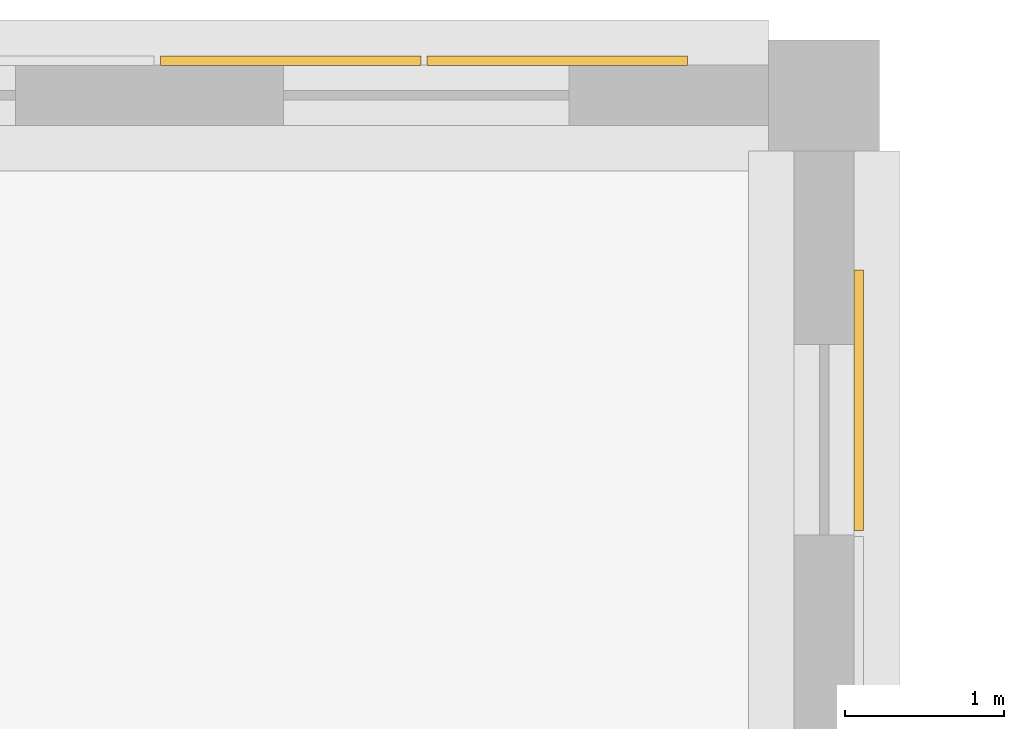
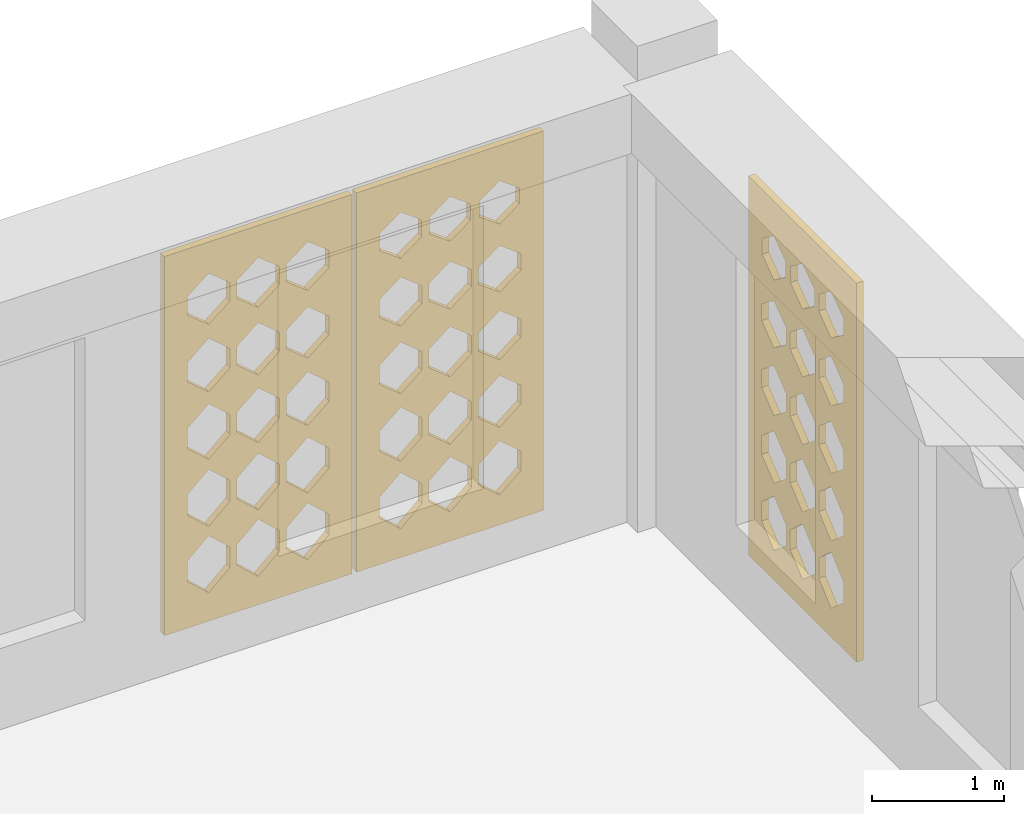
# One storey, part 78 of 79: 3 coverings.
"""IFC4 building model written with IfcOpenShell, lengths in metres."""

from ifc_helpers import new_model, si_unit, derived_unit, direction, frame, origin, place, context, subcontext, project, spatial, polyline, outline, extrude, material, layer, layer_set, type_object, element, save


model = new_model("IFC4")

# Units and contexts
model_context = context("Model", 3, precision=1e-05, world=origin(), true_north=direction((0.0, 1.0)))
body_context = subcontext(model_context, "Body", "Model", "MODEL_VIEW")
ifc_project = project(units=[si_unit("LENGTHUNIT", "METRE"), si_unit("AREAUNIT", "SQUARE_METRE"), si_unit("VOLUMEUNIT", "CUBIC_METRE"), si_unit("PLANEANGLEUNIT", "RADIAN"), si_unit("MASSUNIT", "GRAM", prefix="KILO"), derived_unit("THERMALTRANSMITTANCEUNIT", [(si_unit("POWERUNIT", "WATT"), 1), (si_unit("LENGTHUNIT", "METRE"), -2), (si_unit("THERMODYNAMICTEMPERATUREUNIT", "KELVIN"), -1)])], contexts=[model_context])

# Site, building, storey
site_placement = place(None, origin())
site = spatial("IfcSite", under=ifc_project, at=site_placement, CompositionType="ELEMENT")
building_placement = place(site_placement, origin())
building = spatial("IfcBuilding", under=site, at=building_placement, Name="Veybourne Emporium", CompositionType="ELEMENT")
storey_placement = place(building_placement, frame((0.0, 0.0, 18.89990234375)))
storey = spatial("IfcBuildingStorey", under=building, at=storey_placement, Name="L04", CompositionType="ELEMENT", Elevation=18.89990234375)

# Coverings
ifc_material = material(Name="Warm-White Perforated Aluminium Screen Alloy", Category="aluminium")
ifc_layer_1 = layer(ifc_material, 0.06005859375)
ifc_layer_set_1 = layer_set([ifc_layer_1], Name="Warm-White Perforated Aluminium Screen Alloy")
covering_type_1 = type_object("IfcCoveringType", Name="WaveScreen_SCR-03", PredefinedType="CLADDING", material=ifc_layer_set_1)
covering_1_placement = place(storey_placement, frame((89.0400390625, 101.048095703125, 1.815185546875), z_axis=(0.0, -1.0, 0.0), x_axis=(1.0, 0.0, 0.0)))
element("IfcCovering", 1, at=covering_1_placement, inside=storey, type_object=covering_type_1, Name="L04 wave-perforated aluminium screen SCR-03 (47.3)", PredefinedType="CLADDING", context=body_context, shape_type="SweptSolid", body=[
    extrude(outline(polyline([(-0.81982421875, -1.7548828125), (0.81982421875, -1.7548828125), (0.81982421875, 1.7548828125), (-0.81982421875, 1.7548828125), (-0.81982421875, -1.7548828125)]), holes=[polyline([(-0.433349609375, -0.964111328125), (-0.2470703125, -1.133056640625), (-0.2470703125, -1.322998046875), (-0.433349609375, -1.491943359375), (-0.61962890625, -1.322998046875), (-0.61962890625, -1.133056640625), (-0.433349609375, -0.964111328125)]), polyline([(-0.433349609375, -0.35009765625), (-0.2470703125, -0.51904296875), (-0.2470703125, -0.708984375), (-0.433349609375, -0.8779296875), (-0.61962890625, -0.708984375), (-0.61962890625, -0.51904296875), (-0.433349609375, -0.35009765625)]), polyline([(-0.433349609375, 0.257568359375), (-0.2470703125, 0.0927734375), (-0.2470703125, -0.0927734375), (-0.433349609375, -0.257568359375), (-0.61962890625, -0.0927734375), (-0.61962890625, 0.0927734375), (-0.433349609375, 0.257568359375)]), polyline([(-0.433349609375, 0.86181640625), (-0.2470703125, 0.703125), (-0.2470703125, 0.52490234375), (-0.433349609375, 0.3662109375), (-0.61962890625, 0.52490234375), (-0.61962890625, 0.703125), (-0.433349609375, 0.86181640625)]), polyline([(-0.433349609375, 1.464599609375), (-0.2470703125, 1.313232421875), (-0.2470703125, 1.142822265625), (-0.433349609375, 0.991455078125), (-0.61962890625, 1.142822265625), (-0.61962890625, 1.313232421875), (-0.433349609375, 1.464599609375)]), polyline([(0.0, -0.964111328125), (0.186279296875, -1.133056640625), (0.186279296875, -1.322998046875), (0.0, -1.491943359375), (-0.186279296875, -1.322998046875), (-0.186279296875, -1.133056640625), (0.0, -0.964111328125)]), polyline([(0.0, -0.35205078125), (0.186279296875, -0.519775390625), (0.186279296875, -0.708251953125), (0.0, -0.8759765625), (-0.186279296875, -0.708251953125), (-0.186279296875, -0.519775390625), (0.0, -0.35205078125)]), polyline([(0.0, 0.25341796875), (0.186279296875, 0.09130859375), (0.186279296875, -0.09130859375), (0.0, -0.25341796875), (-0.186279296875, -0.09130859375), (-0.186279296875, 0.09130859375), (0.0, 0.25341796875)]), polyline([(0.0, 0.85693359375), (0.186279296875, 0.701416015625), (0.186279296875, 0.526611328125), (0.0, 0.37109375), (-0.186279296875, 0.526611328125), (-0.186279296875, 0.701416015625), (0.0, 0.85693359375)]), polyline([(0.0, 1.458984375), (0.186279296875, 1.311279296875), (0.186279296875, 1.144775390625), (0.0, 0.996826171875), (-0.186279296875, 1.144775390625), (-0.186279296875, 1.311279296875), (0.0, 1.458984375)]), polyline([(0.433349609375, -0.964111328125), (0.61962890625, -1.133056640625), (0.61962890625, -1.322998046875), (0.433349609375, -1.491943359375), (0.2470703125, -1.322998046875), (0.2470703125, -1.133056640625), (0.433349609375, -0.964111328125)]), polyline([(0.433349609375, -0.355712890625), (0.61962890625, -0.52099609375), (0.61962890625, -0.70703125), (0.433349609375, -0.872314453125), (0.2470703125, -0.70703125), (0.2470703125, -0.52099609375), (0.433349609375, -0.355712890625)]), polyline([(0.433349609375, 0.248779296875), (0.61962890625, 0.089599609375), (0.61962890625, -0.089599609375), (0.433349609375, -0.248779296875), (0.2470703125, -0.089599609375), (0.2470703125, 0.089599609375), (0.433349609375, 0.248779296875)]), polyline([(0.433349609375, 0.851806640625), (0.61962890625, 0.69970703125), (0.61962890625, 0.5283203125), (0.433349609375, 0.376220703125), (0.2470703125, 0.5283203125), (0.2470703125, 0.69970703125), (0.433349609375, 0.851806640625)]), polyline([(0.433349609375, 1.453369140625), (0.61962890625, 1.30908203125), (0.61962890625, 1.14697265625), (0.433349609375, 1.002685546875), (0.2470703125, 1.14697265625), (0.2470703125, 1.30908203125), (0.433349609375, 1.453369140625)])]), origin(), (0.0, 0.0, 1.0), 0.06005859375),
])
ifc_layer_2 = layer(ifc_material, 0.06005859375)
ifc_layer_set_2 = layer_set([ifc_layer_2], Name="Warm-White Perforated Aluminium Screen Alloy")
covering_type_2 = type_object("IfcCoveringType", Name="WaveScreen_SCR-04", PredefinedType="CLADDING", material=ifc_layer_set_2)
covering_2_placement = place(storey_placement, frame((92.64794921875, 98.8798828125, 1.815185546875), z_axis=(-1.0, 0.0, 0.0), x_axis=(0.0, -1.0, 0.0)))
element("IfcCovering", 2, at=covering_2_placement, inside=storey, type_object=covering_type_2, Name="L04 wave-perforated aluminium screen SCR-04 (46.1)", PredefinedType="CLADDING", context=body_context, shape_type="SweptSolid", body=[
    extrude(outline(polyline([(-0.81982421875, -1.7548828125), (0.81982421875, -1.7548828125), (0.81982421875, 1.7548828125), (-0.81982421875, 1.7548828125), (-0.81982421875, -1.7548828125)]), holes=[polyline([(-0.433349609375, -0.97412109375), (-0.2470703125, -1.13671875), (-0.2470703125, -1.3193359375), (-0.433349609375, -1.481689453125), (-0.61962890625, -1.3193359375), (-0.61962890625, -1.13671875), (-0.433349609375, -0.97412109375)]), polyline([(-0.433349609375, -0.37060546875), (-0.2470703125, -0.5263671875), (-0.2470703125, -0.70166015625), (-0.433349609375, -0.857421875), (-0.61962890625, -0.70166015625), (-0.61962890625, -0.5263671875), (-0.433349609375, -0.37060546875)]), polyline([(-0.433349609375, 0.2314453125), (-0.2470703125, 0.08349609375), (-0.2470703125, -0.08349609375), (-0.433349609375, -0.2314453125), (-0.61962890625, -0.08349609375), (-0.61962890625, 0.08349609375), (-0.433349609375, 0.2314453125)]), polyline([(-0.433349609375, 0.83251953125), (-0.2470703125, 0.692626953125), (-0.2470703125, 0.535400390625), (-0.433349609375, 0.3955078125), (-0.61962890625, 0.535400390625), (-0.61962890625, 0.692626953125), (-0.433349609375, 0.83251953125)]), polyline([(-0.433349609375, 1.4326171875), (-0.255859375, 1.3017578125), (-0.255859375, 1.154296875), (-0.433349609375, 1.023193359375), (-0.61083984375, 1.154296875), (-0.61083984375, 1.3017578125), (-0.433349609375, 1.4326171875)]), polyline([(0.0, -0.97021484375), (0.186279296875, -1.13525390625), (0.186279296875, -1.32080078125), (0.0, -1.48583984375), (-0.186279296875, -1.32080078125), (-0.186279296875, -1.13525390625), (0.0, -0.97021484375)]), polyline([(0.0, -0.36572265625), (0.186279296875, -0.524658203125), (0.186279296875, -0.703369140625), (0.0, -0.8623046875), (-0.186279296875, -0.703369140625), (-0.186279296875, -0.524658203125), (0.0, -0.36572265625)]), polyline([(0.0, 0.237060546875), (0.186279296875, 0.085205078125), (0.186279296875, -0.085205078125), (0.0, -0.237060546875), (-0.186279296875, -0.085205078125), (-0.186279296875, 0.085205078125), (0.0, 0.237060546875)]), polyline([(0.0, 0.83837890625), (0.186279296875, 0.69482421875), (0.186279296875, 0.533203125), (0.0, 0.389404296875), (-0.186279296875, 0.533203125), (-0.186279296875, 0.69482421875), (0.0, 0.83837890625)]), polyline([(0.0, 1.439208984375), (0.1826171875, 1.303955078125), (0.1826171875, 1.152099609375), (0.0, 1.016845703125), (-0.1826171875, 1.152099609375), (-0.1826171875, 1.303955078125), (0.0, 1.439208984375)]), polyline([(0.433349609375, -0.96630859375), (0.61962890625, -1.1337890625), (0.61962890625, -1.322265625), (0.433349609375, -1.489501953125), (0.2470703125, -1.322265625), (0.2470703125, -1.1337890625), (0.433349609375, -0.96630859375)]), polyline([(0.433349609375, -0.361083984375), (0.61962890625, -0.52294921875), (0.61962890625, -0.705078125), (0.433349609375, -0.866943359375), (0.2470703125, -0.705078125), (0.2470703125, -0.52294921875), (0.433349609375, -0.361083984375)]), polyline([(0.433349609375, 0.242431640625), (0.61962890625, 0.087158203125), (0.61962890625, -0.087158203125), (0.433349609375, -0.242431640625), (0.2470703125, -0.087158203125), (0.2470703125, 0.087158203125), (0.433349609375, 0.242431640625)]), polyline([(0.433349609375, 0.844482421875), (0.61962890625, 0.697021484375), (0.61962890625, 0.531005859375), (0.433349609375, 0.383544921875), (0.2470703125, 0.531005859375), (0.2470703125, 0.697021484375), (0.433349609375, 0.844482421875)]), polyline([(0.433349609375, 1.4453125), (0.61962890625, 1.30615234375), (0.61962890625, 1.14990234375), (0.433349609375, 1.0107421875), (0.2470703125, 1.14990234375), (0.2470703125, 1.30615234375), (0.433349609375, 1.4453125)])]), origin(), (0.0, 0.0, 1.0), 0.06005859375),
])
covering_3_placement = place(storey_placement, frame((90.719970703125, 101.048095703125, 1.815185546875), z_axis=(0.0, -1.0, 0.0), x_axis=(1.0, 0.0, 0.0)))
element("IfcCovering", 3, at=covering_3_placement, inside=storey, type_object=covering_type_2, Name="L04 wave-perforated aluminium screen SCR-04 (47.4)", PredefinedType="CLADDING", context=body_context, shape_type="SweptSolid", body=[
    extrude(outline(polyline([(-0.81982421875, -1.7548828125), (0.81982421875, -1.7548828125), (0.81982421875, 1.7548828125), (-0.81982421875, 1.7548828125), (-0.81982421875, -1.7548828125)]), holes=[polyline([(-0.433349609375, -0.968505859375), (-0.2470703125, -1.134521484375), (-0.2470703125, -1.3212890625), (-0.433349609375, -1.487548828125), (-0.61962890625, -1.3212890625), (-0.61962890625, -1.134521484375), (-0.433349609375, -0.968505859375)]), polyline([(-0.433349609375, -0.363525390625), (-0.2470703125, -0.52392578125), (-0.2470703125, -0.7041015625), (-0.433349609375, -0.864501953125), (-0.61962890625, -0.7041015625), (-0.61962890625, -0.52392578125), (-0.433349609375, -0.363525390625)]), polyline([(-0.433349609375, 0.239501953125), (-0.2470703125, 0.086181640625), (-0.2470703125, -0.086181640625), (-0.433349609375, -0.239501953125), (-0.61962890625, -0.086181640625), (-0.61962890625, 0.086181640625), (-0.433349609375, 0.239501953125)]), polyline([(-0.433349609375, 0.84130859375), (-0.2470703125, 0.69580078125), (-0.2470703125, 0.5322265625), (-0.433349609375, 0.38671875), (-0.61962890625, 0.5322265625), (-0.61962890625, 0.69580078125), (-0.433349609375, 0.84130859375)]), polyline([(-0.433349609375, 1.44189453125), (-0.248291015625, 1.304931640625), (-0.248291015625, 1.15087890625), (-0.433349609375, 1.01416015625), (-0.618408203125, 1.15087890625), (-0.618408203125, 1.304931640625), (-0.433349609375, 1.44189453125)]), polyline([(0.0, -0.972412109375), (0.186279296875, -1.135986328125), (0.186279296875, -1.320068359375), (0.0, -1.483642578125), (-0.186279296875, -1.320068359375), (-0.186279296875, -1.135986328125), (0.0, -0.972412109375)]), polyline([(0.0, -0.368408203125), (0.186279296875, -0.525634765625), (0.186279296875, -0.702392578125), (0.0, -0.859619140625), (-0.186279296875, -0.702392578125), (-0.186279296875, -0.525634765625), (0.0, -0.368408203125)]), polyline([(0.0, 0.23388671875), (0.186279296875, 0.084228515625), (0.186279296875, -0.084228515625), (0.0, -0.23388671875), (-0.186279296875, -0.084228515625), (-0.186279296875, 0.084228515625), (0.0, 0.23388671875)]), polyline([(0.0, 0.835205078125), (0.186279296875, 0.693603515625), (0.186279296875, 0.534423828125), (0.0, 0.392822265625), (-0.186279296875, 0.534423828125), (-0.186279296875, 0.693603515625), (0.0, 0.835205078125)]), polyline([(0.0, 1.435546875), (0.1796875, 1.302734375), (0.1796875, 1.1533203125), (0.0, 1.0205078125), (-0.1796875, 1.1533203125), (-0.1796875, 1.302734375), (0.0, 1.435546875)]), polyline([(0.433349609375, -0.976806640625), (0.61962890625, -1.137451171875), (0.61962890625, -1.318603515625), (0.433349609375, -1.479248046875), (0.2470703125, -1.318603515625), (0.2470703125, -1.137451171875), (0.433349609375, -0.976806640625)]), polyline([(0.433349609375, -0.37353515625), (0.61962890625, -0.52734375), (0.61962890625, -0.70068359375), (0.433349609375, -0.8544921875), (0.2470703125, -0.70068359375), (0.2470703125, -0.52734375), (0.433349609375, -0.37353515625)]), polyline([(0.433349609375, 0.228515625), (0.61962890625, 0.082275390625), (0.61962890625, -0.082275390625), (0.433349609375, -0.228515625), (0.2470703125, -0.082275390625), (0.2470703125, 0.082275390625), (0.433349609375, 0.228515625)]), polyline([(0.433349609375, 0.8291015625), (0.619384765625, 0.69140625), (0.619384765625, 0.53662109375), (0.433349609375, 0.39892578125), (0.247314453125, 0.53662109375), (0.247314453125, 0.69140625), (0.433349609375, 0.8291015625)]), polyline([(0.433349609375, 1.42919921875), (0.60791015625, 1.30029296875), (0.60791015625, 1.155517578125), (0.433349609375, 1.02685546875), (0.2587890625, 1.155517578125), (0.2587890625, 1.30029296875), (0.433349609375, 1.42919921875)])]), origin(), (0.0, 0.0, 1.0), 0.06005859375),
])

save(model, "model.ifc")
